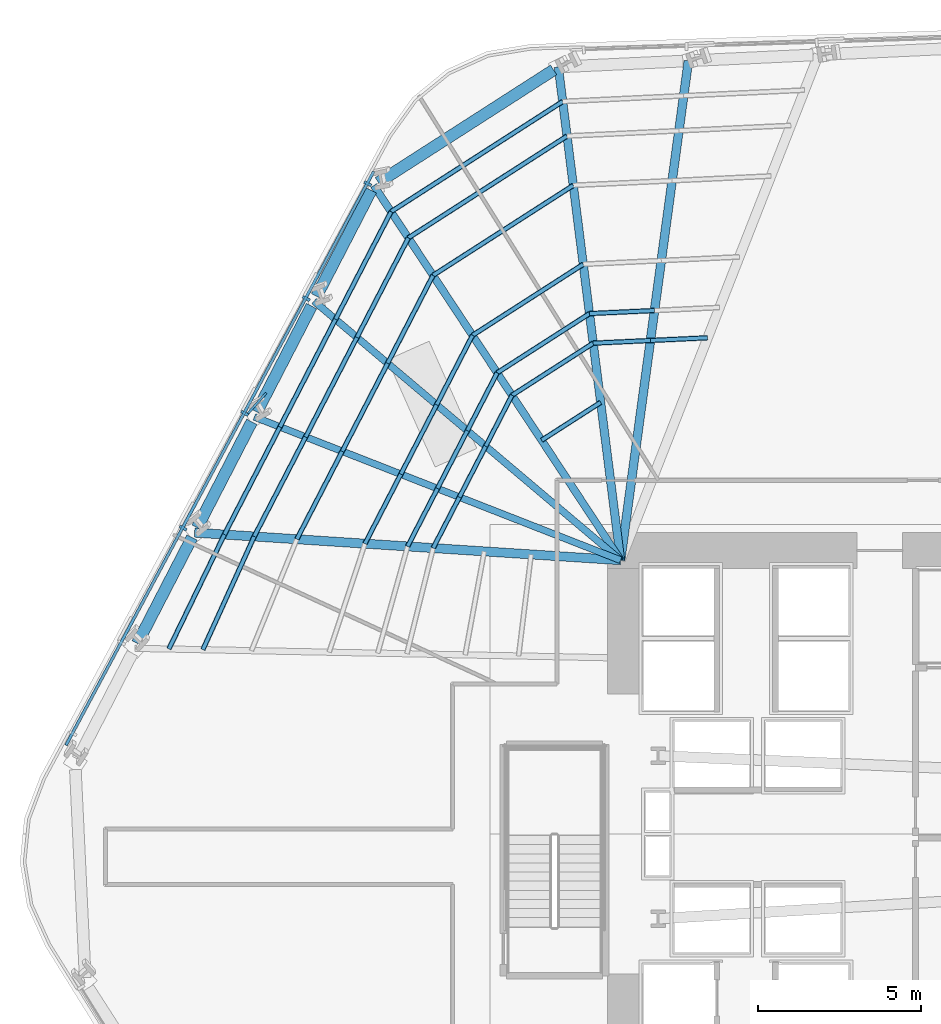
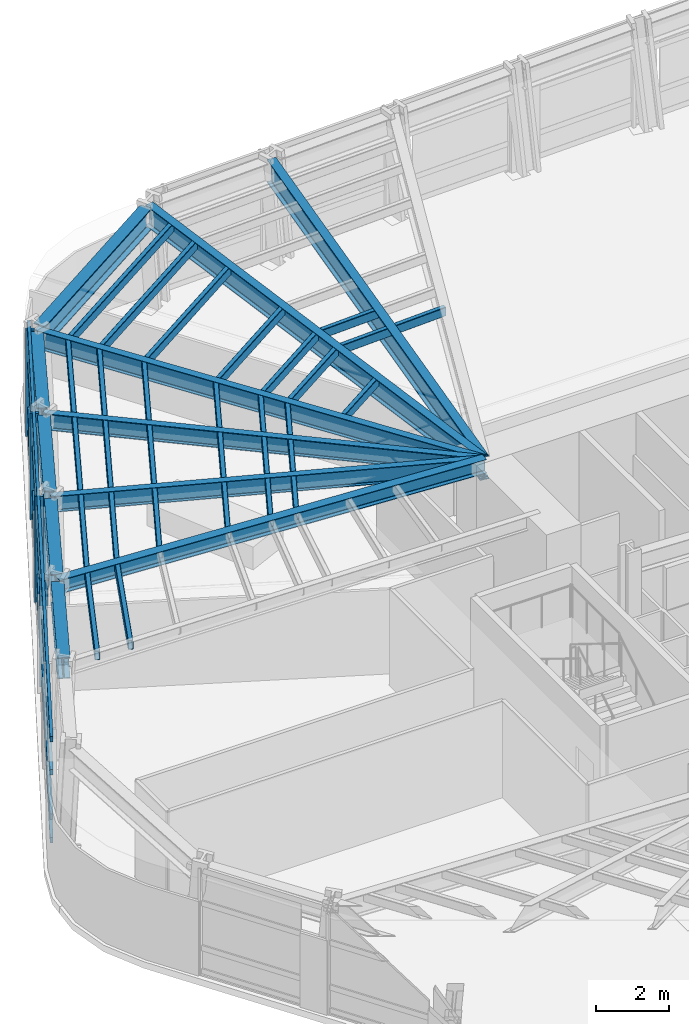
# One storey, part 5 of 15: 39 members, 11 beams, 1 element without a shape of its own.
"""IFC4 building model written with IfcOpenShell, lengths in metres."""

from ifc_helpers import new_model, si_unit, direction, frame, origin, origin_2d, place, context, subcontext, project, spatial, rectangle, hollow_rectangle, i_section, extrude, material, layer, layer_set, material_profile, profile_set, type_object, element, aggregate, save


model = new_model("IFC4")

# Units and contexts
model_context = context("Model", 3, precision=1e-05, world=origin(), true_north=direction((0.0, 1.0)))
body_context = subcontext(model_context, "Body", "Model", "MODEL_VIEW")
ifc_project = project(units=[si_unit("LENGTHUNIT", "METRE"), si_unit("AREAUNIT", "SQUARE_METRE"), si_unit("VOLUMEUNIT", "CUBIC_METRE"), si_unit("PLANEANGLEUNIT", "RADIAN"), si_unit("MASSUNIT", "GRAM", prefix="KILO")], contexts=[model_context])

# Site, building, storey
site_placement = place(None, origin())
site = spatial("IfcSite", under=ifc_project, at=site_placement, CompositionType="ELEMENT")
building_placement = place(site_placement, origin())
building = spatial("IfcBuilding", under=site, at=building_placement, Name="Valkerne Bourse Tower", CompositionType="ELEMENT")
storey_placement = place(building_placement, frame((0.0, 0.0, 31.60009765625)))
storey = spatial("IfcBuildingStorey", under=building, at=storey_placement, Name="L07", CompositionType="ELEMENT", Elevation=31.60009765625)

# Beams
ifc_material_1 = material(Name="Steel ASTM A992", Category="steel")
ifc_material_profile_1 = material_profile(ifc_material_1, i_section(OverallWidth=0.279296875, OverallDepth=0.46240234375, WebThickness=0.0107421875, FlangeThickness=0.017333984375, FilletRadius=0.017822265625, at=origin_2d()), Name="W18X76")
ifc_profile_set_1 = profile_set([ifc_material_profile_1], Name="Steel ASTM A992")
beam_type_1 = type_object("IfcBeamType", Name="BM-W18X76", PredefinedType="BEAM", material=ifc_profile_set_1)
beam_1_placement = place(storey_placement, frame((24.5283203125, 36.246826171875, 3.348876953125), z_axis=(0.997907696197, -0.064654697212, 0.0), x_axis=(0.064654697212, 0.997907696197, 0.0)))
element("IfcBeam", 1, at=beam_1_placement, inside=storey, type_object=beam_type_1, Name="L07 Radial Composite Floor Beam 15", PredefinedType="BEAM", context=body_context, shape_type="SweptSolid", body=[
    extrude(i_section(OverallWidth=0.279296875, OverallDepth=0.46240234375, WebThickness=0.0107421875, FlangeThickness=0.017333984375, FilletRadius=0.017822265625, at=origin_2d()), origin(), (0.0, 0.0, 1.0), 13.09912109375),
])
ifc_material_profile_2 = material_profile(ifc_material_1, i_section(OverallWidth=0.209228515625, OverallDepth=0.533447265625, WebThickness=0.01025390625, FlangeThickness=0.015625, FilletRadius=0.017822265625, at=origin_2d()), Name="W21X62")
ifc_profile_set_2 = profile_set([ifc_material_profile_2], Name="Steel ASTM A992")
beam_type_2 = type_object("IfcBeamType", Name="BM-W21X62", PredefinedType="JOIST", material=ifc_profile_set_2)
beam_2_placement = place(storey_placement, frame((26.361083984375, 39.7978515625, 3.313232421875), z_axis=(0.931240690469, -0.364404687696, 0.0), x_axis=(0.364404687696, 0.931240690469, 0.0)))
element("IfcBeam", 2, at=beam_2_placement, inside=storey, type_object=beam_type_2, Name="L07 Radial Composite Floor Beam 14", PredefinedType="JOIST", context=body_context, shape_type="SweptSolid", body=[
    extrude(i_section(OverallWidth=0.209228515625, OverallDepth=0.533447265625, WebThickness=0.01025390625, FlangeThickness=0.015625, FilletRadius=0.017822265625, at=origin_2d()), origin(), (0.0, 0.0, 1.0), 12.06884765625),
])
ifc_material_profile_3 = material_profile(ifc_material_1, i_section(OverallWidth=0.2138671875, OverallDepth=0.548583984375, WebThickness=0.0146484375, FlangeThickness=0.023681640625, FilletRadius=0.017822265625, at=origin_2d()), Name="W21X93")
ifc_profile_set_3 = profile_set([ifc_material_profile_3], Name="Steel ASTM A992")
beam_type_3 = type_object("IfcBeamType", Name="BM-W21X93", PredefinedType="BEAM", material=ifc_profile_set_3)
beam_3_placement = place(storey_placement, frame((28.193603515625, 43.3486328125, 3.3056640625), z_axis=(0.763810975792, -0.645439999736, 0.0), x_axis=(0.645439999736, 0.763810975792, 0.0)))
element("IfcBeam", 3, at=beam_3_placement, inside=storey, type_object=beam_type_3, Name="L07 Radial Composite Floor Beam 13", PredefinedType="BEAM", context=body_context, shape_type="SweptSolid", body=[
    extrude(i_section(OverallWidth=0.2138671875, OverallDepth=0.548583984375, WebThickness=0.0146484375, FlangeThickness=0.023681640625, FilletRadius=0.017822265625, at=origin_2d()), origin(), (0.0, 0.0, 1.0), 12.315185546875),
])
ifc_material_profile_4 = material_profile(ifc_material_1, i_section(OverallWidth=0.228271484375, OverallDepth=0.607177734375, WebThickness=0.01123046875, FlangeThickness=0.017333984375, FilletRadius=0.017822265625, at=origin_2d()), Name="W24X76")
ifc_profile_set_4 = profile_set([ifc_material_profile_4], Name="Steel ASTM A992")
beam_type_4 = type_object("IfcBeamType", Name="BM-W24X76", PredefinedType="JOIST", material=ifc_profile_set_4)
beam_4_placement = place(storey_placement, frame((30.026611328125, 46.899658203125, 3.2763671875), z_axis=(0.550014700285, -0.835154973325, 0.0), x_axis=(0.835154973325, 0.550014700285, 0.0)))
element("IfcBeam", 4, at=beam_4_placement, inside=storey, type_object=beam_type_4, Name="L07 Radial Composite Floor Beam 12", PredefinedType="JOIST", context=body_context, shape_type="SweptSolid", body=[
    extrude(i_section(OverallWidth=0.228271484375, OverallDepth=0.607177734375, WebThickness=0.01123046875, FlangeThickness=0.017333984375, FilletRadius=0.017822265625, at=origin_2d()), origin(), (0.0, 0.0, 1.0), 13.76953125),
])
ifc_material_profile_5 = material_profile(ifc_material_1, i_section(OverallWidth=0.255859375, OverallDepth=0.693359375, WebThickness=0.014404296875, FlangeThickness=0.023681640625, FilletRadius=0.02294921875, at=origin_2d()), Name="W27X114")
ifc_profile_set_5 = profile_set([ifc_material_profile_5], Name="Steel ASTM A992")
beam_type_5 = type_object("IfcBeamType", Name="BM-W27X114", PredefinedType="BEAM", material=ifc_profile_set_5)
beam_5_placement = place(storey_placement, frame((35.68896484375, 50.534912109375, 3.233154296875), z_axis=(0.125277514722, -0.992121738652, 0.0), x_axis=(0.992121738652, 0.125277514722, 0.0)))
element("IfcBeam", 5, at=beam_5_placement, inside=storey, type_object=beam_type_5, Name="L07 Radial Composite Floor Beam 11", PredefinedType="BEAM", context=body_context, shape_type="SweptSolid", body=[
    extrude(i_section(OverallWidth=0.255859375, OverallDepth=0.693359375, WebThickness=0.014404296875, FlangeThickness=0.023681640625, FilletRadius=0.02294921875, at=origin_2d()), origin(), (0.0, 0.0, 1.0), 15.255126953125),
])
ifc_material_profile_6 = material_profile(ifc_material_1, i_section(OverallWidth=0.358154296875, OverallDepth=0.7060546875, WebThickness=0.018310546875, FlangeThickness=0.0302734375, FilletRadius=0.02294921875, at=origin_2d()), Name="W27X178")
ifc_profile_set_6 = profile_set([ifc_material_profile_6], Name="Steel ASTM A992")
beam_type_6 = type_object("IfcBeamType", Name="BM-W27X178", PredefinedType="SPANDREL", material=ifc_profile_set_6)
beam_6_placement = place(storey_placement, frame((35.5458984375, 50.443115234375, 3.226806640625), z_axis=(-0.84149741777, -0.540261136753, 0.0), x_axis=(0.540261136753, -0.84149741777, 0.0)))
element("IfcBeam", 6, at=beam_6_placement, inside=storey, type_object=beam_type_6, Name="L07 Hexagonal Spandrel Ring Beam 11", PredefinedType="SPANDREL", context=body_context, shape_type="SweptSolid", body=[
    extrude(i_section(OverallWidth=0.358154296875, OverallDepth=0.7060546875, WebThickness=0.018310546875, FlangeThickness=0.0302734375, FilletRadius=0.02294921875, at=origin_2d()), origin(), (0.0, 0.0, 1.0), 6.388916015625),
])
beam_7_placement = place(storey_placement, frame((29.948486328125, 46.74853515625, 3.226806640625), z_axis=(-0.458636115682, -0.888624168809, 0.0), x_axis=(0.888624168809, -0.458636115682, 0.0)))
element("IfcBeam", 7, at=beam_7_placement, inside=storey, type_object=beam_type_6, Name="L07 Hexagonal Spandrel Ring Beam 12", PredefinedType="SPANDREL", context=body_context, shape_type="SweptSolid", body=[
    extrude(i_section(OverallWidth=0.358154296875, OverallDepth=0.7060546875, WebThickness=0.018310546875, FlangeThickness=0.0302734375, FilletRadius=0.02294921875, at=origin_2d()), origin(), (0.0, 0.0, 1.0), 3.656005859375),
])
beam_8_placement = place(storey_placement, frame((28.11572265625, 43.197509765625, 3.226806640625), z_axis=(-0.458663333085, -0.888610120854, 0.0), x_axis=(0.888610120854, -0.458663333085, 0.0)))
element("IfcBeam", 8, at=beam_8_placement, inside=storey, type_object=beam_type_6, Name="L07 Hexagonal Spandrel Ring Beam 13", PredefinedType="SPANDREL", context=body_context, shape_type="SweptSolid", body=[
    extrude(i_section(OverallWidth=0.358154296875, OverallDepth=0.7060546875, WebThickness=0.018310546875, FlangeThickness=0.0302734375, FilletRadius=0.02294921875, at=origin_2d()), origin(), (0.0, 0.0, 1.0), 3.65576171875),
])
beam_9_placement = place(storey_placement, frame((26.282958984375, 39.646728515625, 3.226806640625), z_axis=(-0.458636115682, -0.888624168809, 0.0), x_axis=(0.888624168809, -0.458636115682, 0.0)))
element("IfcBeam", 9, at=beam_9_placement, inside=storey, type_object=beam_type_6, Name="L07 Hexagonal Spandrel Ring Beam 14", PredefinedType="SPANDREL", context=body_context, shape_type="SweptSolid", body=[
    extrude(i_section(OverallWidth=0.358154296875, OverallDepth=0.7060546875, WebThickness=0.018310546875, FlangeThickness=0.0302734375, FilletRadius=0.02294921875, at=origin_2d()), origin(), (0.0, 0.0, 1.0), 3.656005859375),
])
beam_10_placement = place(storey_placement, frame((24.4501953125, 36.095703125, 3.226806640625), z_axis=(-0.458663333085, -0.888610120854, 0.0), x_axis=(0.888610120854, -0.458663333085, 0.0)))
element("IfcBeam", 10, at=beam_10_placement, inside=storey, type_object=beam_type_6, Name="L07 Hexagonal Spandrel Ring Beam 15", PredefinedType="SPANDREL", context=body_context, shape_type="SweptSolid", body=[
    extrude(i_section(OverallWidth=0.358154296875, OverallDepth=0.7060546875, WebThickness=0.018310546875, FlangeThickness=0.0302734375, FilletRadius=0.02294921875, at=origin_2d()), origin(), (0.0, 0.0, 1.0), 3.65576171875),
])
ifc_material_profile_7 = material_profile(ifc_material_1, i_section(OverallWidth=0.26806640625, OverallDepth=0.76953125, WebThickness=0.015625, FlangeThickness=0.025390625, FilletRadius=0.025390625, at=origin_2d()), Name="W30X132")
ifc_profile_set_7 = profile_set([ifc_material_profile_7], Name="Steel ASTM A992")
beam_type_7 = type_object("IfcBeamType", Name="BM-W30X132", PredefinedType="BEAM", material=ifc_profile_set_7)
beam_11_placement = place(storey_placement, frame((39.6806640625, 50.72314453125, 3.195068359375), z_axis=(-0.134543923728, -0.990907630704, 0.0), x_axis=(0.990907630704, -0.134543923728, 0.0)))
element("IfcBeam", 11, at=beam_11_placement, inside=storey, type_object=beam_type_7, Name="L07 Radial Composite Floor Beam 10", PredefinedType="BEAM", context=body_context, shape_type="SweptSolid", body=[
    extrude(i_section(OverallWidth=0.26806640625, OverallDepth=0.76953125, WebThickness=0.015625, FlangeThickness=0.025390625, FilletRadius=0.025390625, at=origin_2d()), origin(), (0.0, 0.0, 1.0), 15.4638671875),
])

# Curtain wall, members
ifc_material_2 = material(Name="Aluminium AA 6063-T6", Category="aluminium")
ifc_layer = layer(ifc_material_2, 0.22509765625)
ifc_layer_set = layer_set([ifc_layer], Name="Aluminium AA 6063-T6")
curtain_wall_type = type_object("IfcCurtainWallType", Name="CW-01", PredefinedType="NOTDEFINED", material=ifc_layer_set)
curtain_wall_placement = place(storey_placement, origin())
curtain_wall = element("IfcCurtainWall", 12, at=curtain_wall_placement, inside=storey, type_object=curtain_wall_type, Name="L07 Hexagonal Stick Curtain Wall Face 3", PredefinedType="NOTDEFINED")
ifc_material_profile_8 = material_profile(ifc_material_2, rectangle(XDim=0.090087890625, YDim=0.239990234375, at=origin_2d()), Name="CWM-90X240")
ifc_profile_set_8 = profile_set([ifc_material_profile_8], Name="Aluminium AA 6063-T6")
member_type_1 = type_object("IfcMemberType", Name="CW-MUL-240X90", PredefinedType="MULLION", material=ifc_profile_set_8)
member_1_placement = place(storey_placement, frame((29.843017578125, 46.951171875, 0.0), z_axis=(0.0, 0.0, 1.0), x_axis=(-0.472547077315, -0.881305429304, 0.0)))
member_1 = element("IfcMember", 13, at=member_1_placement, type_object=member_type_1, Name="CW-L07-F3 Jamb Mullion 00A", PredefinedType="MULLION", context=body_context, shape_type="SweptSolid", body=[
    extrude(rectangle(XDim=0.090087890625, YDim=0.239990234375, at=origin_2d()), origin(), (0.0, 0.0, 1.0), 3.579833984375),
])
member_2_placement = place(storey_placement, frame((27.95458984375, 43.429443359375, 0.0), z_axis=(0.0, 0.0, 1.0), x_axis=(-0.472547077315, -0.881305429304, 0.0)))
member_2 = element("IfcMember", 14, at=member_2_placement, type_object=member_type_1, Name="CW-L07-F3 Jamb Mullion 01A", PredefinedType="MULLION", context=body_context, shape_type="SweptSolid", body=[
    extrude(rectangle(XDim=0.090087890625, YDim=0.239990234375, at=origin_2d()), origin(), (0.0, 0.0, 1.0), 3.579833984375),
])
member_3_placement = place(storey_placement, frame((26.06640625, 39.90771484375, 0.0), z_axis=(0.0, 0.0, 1.0), x_axis=(-0.472547077315, -0.881305429304, 0.0)))
member_3 = element("IfcMember", 15, at=member_3_placement, type_object=member_type_1, Name="CW-L07-F3 Jamb Mullion 02A", PredefinedType="MULLION", context=body_context, shape_type="SweptSolid", body=[
    extrude(rectangle(XDim=0.090087890625, YDim=0.239990234375, at=origin_2d()), origin(), (0.0, 0.0, 1.0), 3.579833984375),
])
member_4_placement = place(storey_placement, frame((24.177978515625, 36.385986328125, 0.0), z_axis=(0.0, 0.0, 1.0), x_axis=(-0.472547077315, -0.881305429304, 0.0)))
member_4 = element("IfcMember", 16, at=member_4_placement, type_object=member_type_1, Name="CW-L07-F3 Jamb Mullion 03A", PredefinedType="MULLION", context=body_context, shape_type="SweptSolid", body=[
    extrude(rectangle(XDim=0.090087890625, YDim=0.239990234375, at=origin_2d()), origin(), (0.0, 0.0, 1.0), 3.579833984375),
])
ifc_material_profile_9 = material_profile(ifc_material_2, rectangle(XDim=0.090087890625, YDim=0.179931640625, at=origin_2d()), Name="CWT-90X180")
ifc_profile_set_9 = profile_set([ifc_material_profile_9], Name="Aluminium AA 6063-T6")
member_type_2 = type_object("IfcMemberType", Name="CW-TRN-180X90", PredefinedType="USERDEFINED", material=ifc_profile_set_9)
member_5_placement = place(storey_placement, frame((30.023681640625, 47.330810546875, 0.119873046875), z_axis=(-0.472545549822, -0.881306248329, 0.0), x_axis=(0.881306248329, -0.472545549822, 0.0)))
member_5 = element("IfcMember", 17, at=member_5_placement, type_object=member_type_2, Name="CW-L07-F3 Continuous Face Transom 1", ObjectType="TRANSOM", PredefinedType="USERDEFINED", context=body_context, shape_type="SweptSolid", body=[
    extrude(rectangle(XDim=0.090087890625, YDim=0.179931640625, at=origin_2d()), origin(), (0.0, 0.0, 1.0), 19.97998046875),
])
member_6_placement = place(storey_placement, frame((30.023681640625, 47.330810546875, 0.89990234375), z_axis=(-0.472545549822, -0.881306248329, 0.0), x_axis=(0.881306248329, -0.472545549822, 0.0)))
member_6 = element("IfcMember", 18, at=member_6_placement, type_object=member_type_2, Name="CW-L07-F3 Continuous Face Transom 2", ObjectType="TRANSOM", PredefinedType="USERDEFINED", context=body_context, shape_type="SweptSolid", body=[
    extrude(rectangle(XDim=0.090087890625, YDim=0.179931640625, at=origin_2d()), origin(), (0.0, 0.0, 1.0), 19.97998046875),
])
member_7_placement = place(storey_placement, frame((30.023681640625, 47.330810546875, 2.39990234375), z_axis=(-0.472545549822, -0.881306248329, 0.0), x_axis=(0.881306248329, -0.472545549822, 0.0)))
member_7 = element("IfcMember", 19, at=member_7_placement, type_object=member_type_2, Name="CW-L07-F3 Continuous Face Transom 3", ObjectType="TRANSOM", PredefinedType="USERDEFINED", context=body_context, shape_type="SweptSolid", body=[
    extrude(rectangle(XDim=0.090087890625, YDim=0.179931640625, at=origin_2d()), origin(), (0.0, 0.0, 1.0), 19.97998046875),
])
member_8_placement = place(storey_placement, frame((30.023681640625, 47.330810546875, 3.5), z_axis=(-0.472545549822, -0.881306248329, 0.0), x_axis=(0.881306248329, -0.472545549822, 0.0)))
member_8 = element("IfcMember", 20, at=member_8_placement, type_object=member_type_2, Name="CW-L07-F3 Continuous Face Transom 4", ObjectType="TRANSOM", PredefinedType="USERDEFINED", context=body_context, shape_type="SweptSolid", body=[
    extrude(rectangle(XDim=0.090087890625, YDim=0.179931640625, at=origin_2d()), origin(), (0.0, 0.0, 1.0), 19.97998046875),
])
aggregate(curtain_wall, [member_5, member_6, member_7, member_8, member_1, member_2, member_3, member_4])

# Members
ifc_material_3 = material(Name="Bronze Anodised Aluminium AA 6063-T6", Category="aluminium")
ifc_material_profile_10 = material_profile(ifc_material_3, rectangle(XDim=0.070068359375, YDim=0.89990234375, at=origin_2d()), Name="FIN-70X900")
ifc_profile_set_10 = profile_set([ifc_material_profile_10], Name="Bronze Anodised Aluminium AA 6063-T6")
member_type_3 = type_object("IfcMemberType", Name="FIN-SOLAR-900", PredefinedType="USERDEFINED", material=ifc_profile_set_10)
member_9_placement = place(storey_placement, frame((26.423583984375, 40.19287109375, 0.00390625), z_axis=(0.0, 0.0, 1.0), x_axis=(-0.748527214135, 0.663104071544, 0.0)))
element("IfcMember", 21, at=member_9_placement, inside=storey, type_object=member_type_3, Name="L07 Bronze Anodised Solar Fin F3-02", ObjectType="SOLAR_FIN", PredefinedType="USERDEFINED", context=body_context, shape_type="SweptSolid", body=[
    extrude(rectangle(XDim=0.070068359375, YDim=0.89990234375, at=origin_2d()), origin(), (0.0, 0.0, 1.0), 3.572021484375),
])
ifc_material_4 = material(Name="Steel ASTM A500 Grade C", Category="steel")
ifc_material_profile_11 = material_profile(ifc_material_4, hollow_rectangle(XDim=0.14990234375, YDim=0.300048828125, WallThickness=0.012451171875, OuterFilletRadius=0.02490234375, at=origin_2d()), Name="HSS300X150X12.5")
ifc_profile_set_11 = profile_set([ifc_material_profile_11], Name="Steel ASTM A500 Grade C")
member_type_4 = type_object("IfcMemberType", Name="MBR-HSS300X150X12.5", PredefinedType="PURLIN", material=ifc_profile_set_11)
member_10_placement = place(storey_placement, frame((36.988525390625, 40.2431640625, 3.419921875), z_axis=(-0.841502499489, -0.540253221512, 0.0), x_axis=(0.540253221512, -0.841502499489, 0.0)))
element("IfcMember", 22, at=member_10_placement, inside=storey, type_object=member_type_4, Name="L07 Secondary Composite Floor Purlin I-11", PredefinedType="PURLIN", context=body_context, shape_type="SweptSolid", body=[
    extrude(hollow_rectangle(XDim=0.14990234375, YDim=0.300048828125, WallThickness=0.012451171875, OuterFilletRadius=0.02490234375, at=origin_2d()), origin(), (0.0, 0.0, 1.0), 2.1533203125),
])
member_11_placement = place(storey_placement, frame((40.271728515625, 42.22509765625, 3.419921875), z_axis=(-0.998885037744, -0.047208911987, 0.0), x_axis=(0.047208911987, -0.998885037744, 0.0)))
element("IfcMember", 23, at=member_11_placement, inside=storey, type_object=member_type_4, Name="L07 Secondary Composite Floor Purlin K-09", PredefinedType="PURLIN", context=body_context, shape_type="SweptSolid", body=[
    extrude(hollow_rectangle(XDim=0.14990234375, YDim=0.300048828125, WallThickness=0.012451171875, OuterFilletRadius=0.02490234375, at=origin_2d()), origin(), (0.0, 0.0, 1.0), 1.75830078125),
])
member_12_placement = place(storey_placement, frame((38.515380859375, 42.14208984375, 3.419921875), z_axis=(-0.998891268112, -0.047076899748, 0.0), x_axis=(0.047076899748, -0.998891268112, 0.0)))
element("IfcMember", 24, at=member_12_placement, inside=storey, type_object=member_type_4, Name="L07 Secondary Composite Floor Purlin K-10", PredefinedType="PURLIN", context=body_context, shape_type="SweptSolid", body=[
    extrude(hollow_rectangle(XDim=0.14990234375, YDim=0.300048828125, WallThickness=0.012451171875, OuterFilletRadius=0.02490234375, at=origin_2d()), origin(), (0.0, 0.0, 1.0), 1.758056640625),
])
member_13_placement = place(storey_placement, frame((36.75927734375, 42.059326171875, 3.419921875), z_axis=(-0.841515862983, -0.540232405866, 0.0), x_axis=(0.540232405866, -0.841515862983, 0.0)))
element("IfcMember", 25, at=member_13_placement, inside=storey, type_object=member_type_4, Name="L07 Secondary Composite Floor Purlin K-11", PredefinedType="PURLIN", context=body_context, shape_type="SweptSolid", body=[
    extrude(hollow_rectangle(XDim=0.14990234375, YDim=0.300048828125, WallThickness=0.012451171875, OuterFilletRadius=0.02490234375, at=origin_2d()), origin(), (0.0, 0.0, 1.0), 2.9609375),
])
member_14_placement = place(storey_placement, frame((34.267578125, 40.459716796875, 3.419921875), z_axis=(-0.458674754845, -0.888604225326, 0.0), x_axis=(0.888604225326, -0.458674754845, 0.0)))
element("IfcMember", 26, at=member_14_placement, inside=storey, type_object=member_type_4, Name="L07 Secondary Composite Floor Purlin K-12", PredefinedType="PURLIN", context=body_context, shape_type="SweptSolid", body=[
    extrude(hollow_rectangle(XDim=0.14990234375, YDim=0.300048828125, WallThickness=0.012451171875, OuterFilletRadius=0.02490234375, at=origin_2d()), origin(), (0.0, 0.0, 1.0), 1.758056640625),
])
member_15_placement = place(storey_placement, frame((33.461181640625, 38.8974609375, 3.419921875), z_axis=(-0.458618161805, -0.888633434923, 0.0), x_axis=(0.888633434923, -0.458618161805, 0.0)))
element("IfcMember", 27, at=member_15_placement, inside=storey, type_object=member_type_4, Name="L07 Secondary Composite Floor Purlin K-13", PredefinedType="PURLIN", context=body_context, shape_type="SweptSolid", body=[
    extrude(hollow_rectangle(XDim=0.14990234375, YDim=0.300048828125, WallThickness=0.012451171875, OuterFilletRadius=0.02490234375, at=origin_2d()), origin(), (0.0, 0.0, 1.0), 1.75830078125),
])
member_16_placement = place(storey_placement, frame((32.65478515625, 37.3349609375, 3.419921875), z_axis=(-0.458674754845, -0.888604225326, 0.0), x_axis=(0.888604225326, -0.458674754845, 0.0)))
element("IfcMember", 28, at=member_16_placement, inside=storey, type_object=member_type_4, Name="L07 Secondary Composite Floor Purlin K-14", PredefinedType="PURLIN", context=body_context, shape_type="SweptSolid", body=[
    extrude(hollow_rectangle(XDim=0.14990234375, YDim=0.300048828125, WallThickness=0.012451171875, OuterFilletRadius=0.02490234375, at=origin_2d()), origin(), (0.0, 0.0, 1.0), 1.758056640625),
])
member_17_placement = place(storey_placement, frame((38.640380859375, 43.0615234375, 3.419921875), z_axis=(-0.998887132008, -0.047164578955, 0.0), x_axis=(0.047164578955, -0.998887132008, 0.0)))
element("IfcMember", 29, at=member_17_placement, inside=storey, type_object=member_type_4, Name="L07 Secondary Composite Floor Purlin M-10", PredefinedType="PURLIN", context=body_context, shape_type="SweptSolid", body=[
    extrude(hollow_rectangle(XDim=0.14990234375, YDim=0.300048828125, WallThickness=0.012451171875, OuterFilletRadius=0.02490234375, at=origin_2d()), origin(), (0.0, 0.0, 1.0), 1.998046875),
])
member_18_placement = place(storey_placement, frame((36.64453125, 42.96728515625, 3.419921875), z_axis=(-0.841548443725, -0.540181651728, 0.0), x_axis=(0.540181651728, -0.841548443725, 0.0)))
element("IfcMember", 30, at=member_18_placement, inside=storey, type_object=member_type_4, Name="L07 Secondary Composite Floor Purlin M-11", PredefinedType="PURLIN", context=body_context, shape_type="SweptSolid", body=[
    extrude(hollow_rectangle(XDim=0.14990234375, YDim=0.300048828125, WallThickness=0.012451171875, OuterFilletRadius=0.02490234375, at=origin_2d()), origin(), (0.0, 0.0, 1.0), 3.364501953125),
])
for number, where, z_axis, x_axis, name in (
    (31, (33.813232421875, 41.14990234375, 3.419921875), (-0.458565108343, -0.888660813477, 0.0), (0.888660813477, -0.458565108343, 0.0), "L07 Secondary Composite Floor Purlin M-12"),
    (32, (32.89697265625, 39.374267578125, 3.419921875), (-0.458711394515, -0.88858531191, 0.0), (0.88858531191, -0.458711394515, 0.0), "L07 Secondary Composite Floor Purlin M-13"),
):
    element("IfcMember", number, at=place(storey_placement, frame(where, z_axis=z_axis, x_axis=x_axis)), inside=storey, type_object=member_type_4, Name=name, PredefinedType="PURLIN", context=body_context, shape_type="SweptSolid", body=[
        extrude(hollow_rectangle(XDim=0.14990234375, YDim=0.300048828125, WallThickness=0.012451171875, OuterFilletRadius=0.02490234375, at=origin_2d()), origin(), (0.0, 0.0, 1.0), 1.998046875),
    ])
member_19_placement = place(storey_placement, frame((31.98046875, 37.598876953125, 3.419921875), z_axis=(-0.45861490502, -0.888635115722, 0.0), x_axis=(0.888635115722, -0.45861490502, 0.0)))
element("IfcMember", 33, at=member_19_placement, inside=storey, type_object=member_type_4, Name="L07 Secondary Composite Floor Purlin M-14", PredefinedType="PURLIN", context=body_context, shape_type="SweptSolid", body=[
    extrude(hollow_rectangle(XDim=0.14990234375, YDim=0.300048828125, WallThickness=0.012451171875, OuterFilletRadius=0.02490234375, at=origin_2d()), origin(), (0.0, 0.0, 1.0), 1.997802734375),
])
member_20_placement = place(storey_placement, frame((36.147705078125, 46.902587890625, 3.419921875), z_axis=(-0.841510236499, -0.540241170096, 0.0), x_axis=(0.540241170096, -0.841510236499, 0.0)))
element("IfcMember", 34, at=member_20_placement, inside=storey, type_object=member_type_4, Name="L07 Secondary Composite Floor Purlin O-11", PredefinedType="PURLIN", context=body_context, shape_type="SweptSolid", body=[
    extrude(hollow_rectangle(XDim=0.14990234375, YDim=0.300048828125, WallThickness=0.012451171875, OuterFilletRadius=0.02490234375, at=origin_2d()), origin(), (0.0, 0.0, 1.0), 5.1142578125),
])
for number, where, z_axis, x_axis, name in (
    (35, (31.843994140625, 44.1396484375, 3.419921875), (-0.458624490101, -0.8886301689, 0.0), (0.8886301689, -0.458624490101, 0.0), "L07 Secondary Composite Floor Purlin O-12"),
    (36, (30.451171875, 41.44091796875, 3.419921875), (-0.458624490101, -0.8886301689, 0.0), (0.8886301689, -0.458624490101, 0.0), "L07 Secondary Composite Floor Purlin O-13"),
    (37, (29.058349609375, 38.7421875, 3.419921875), (-0.458720734444, -0.888580490328, 0.0), (0.888580490328, -0.458720734444, 0.0), "L07 Secondary Composite Floor Purlin O-14"),
):
    element("IfcMember", number, at=place(storey_placement, frame(where, z_axis=z_axis, x_axis=x_axis)), inside=storey, type_object=member_type_4, Name=name, PredefinedType="PURLIN", context=body_context, shape_type="SweptSolid", body=[
        extrude(hollow_rectangle(XDim=0.14990234375, YDim=0.300048828125, WallThickness=0.012451171875, OuterFilletRadius=0.02490234375, at=origin_2d()), origin(), (0.0, 0.0, 1.0), 3.036865234375),
    ])
member_21_placement = place(storey_placement, frame((36.453369140625, 44.48095703125, 3.419921875), z_axis=(-0.841508396273, -0.540244036526, 0.0), x_axis=(0.540244036526, -0.841508396273, 0.0)))
element("IfcMember", 38, at=member_21_placement, inside=storey, type_object=member_type_4, Name="L07 Secondary Composite Floor Purlin Z-11", PredefinedType="PURLIN", context=body_context, shape_type="SweptSolid", body=[
    extrude(hollow_rectangle(XDim=0.14990234375, YDim=0.300048828125, WallThickness=0.012451171875, OuterFilletRadius=0.02490234375, at=origin_2d()), origin(), (0.0, 0.0, 1.0), 4.037353515625),
])
member_22_placement = place(storey_placement, frame((33.055908203125, 42.2998046875, 3.419921875), z_axis=(-0.458622169661, -0.888631366482, 0.0), x_axis=(0.888631366482, -0.458622169661, 0.0)))
element("IfcMember", 39, at=member_22_placement, inside=storey, type_object=member_type_4, Name="L07 Secondary Composite Floor Purlin Z-12", PredefinedType="PURLIN", context=body_context, shape_type="SweptSolid", body=[
    extrude(hollow_rectangle(XDim=0.14990234375, YDim=0.300048828125, WallThickness=0.012451171875, OuterFilletRadius=0.02490234375, at=origin_2d()), origin(), (0.0, 0.0, 1.0), 2.397705078125),
])
member_23_placement = place(storey_placement, frame((31.956298828125, 40.169189453125, 3.419921875), z_axis=(-0.458663671507, -0.888609946174, 0.0), x_axis=(0.888609946174, -0.458663671507, 0.0)))
element("IfcMember", 40, at=member_23_placement, inside=storey, type_object=member_type_4, Name="L07 Secondary Composite Floor Purlin Z-13", PredefinedType="PURLIN", context=body_context, shape_type="SweptSolid", body=[
    extrude(hollow_rectangle(XDim=0.14990234375, YDim=0.300048828125, WallThickness=0.012451171875, OuterFilletRadius=0.02490234375, at=origin_2d()), origin(), (0.0, 0.0, 1.0), 2.3974609375),
])
member_24_placement = place(storey_placement, frame((30.856689453125, 38.038818359375, 3.419921875), z_axis=(-0.458702572155, -0.888589866192, 0.0), x_axis=(0.888589866192, -0.458702572155, 0.0)))
element("IfcMember", 41, at=member_24_placement, inside=storey, type_object=member_type_4, Name="L07 Secondary Composite Floor Purlin Z-14", PredefinedType="PURLIN", context=body_context, shape_type="SweptSolid", body=[
    extrude(hollow_rectangle(XDim=0.14990234375, YDim=0.300048828125, WallThickness=0.012451171875, OuterFilletRadius=0.02490234375, at=origin_2d()), origin(), (0.0, 0.0, 1.0), 2.397705078125),
])
member_25_placement = place(storey_placement, frame((35.95654296875, 48.416015625, 3.419921875), z_axis=(-0.841512784703, -0.540237200849, 0.0), x_axis=(0.540237200849, -0.841512784703, 0.0)))
element("IfcMember", 42, at=member_25_placement, inside=storey, type_object=member_type_4, Name="L07 Secondary Composite Floor Purlin T-11", PredefinedType="PURLIN", context=body_context, shape_type="SweptSolid", body=[
    extrude(hollow_rectangle(XDim=0.14990234375, YDim=0.300048828125, WallThickness=0.012451171875, OuterFilletRadius=0.02490234375, at=origin_2d()), origin(), (0.0, 0.0, 1.0), 5.786865234375),
])
member_26_placement = place(storey_placement, frame((31.0869140625, 45.289794921875, 3.419921875), z_axis=(-0.458684537369, -0.88859917577, 0.0), x_axis=(0.88859917577, -0.458684537369, 0.0)))
element("IfcMember", 43, at=member_26_placement, inside=storey, type_object=member_type_4, Name="L07 Secondary Composite Floor Purlin T-12", PredefinedType="PURLIN", context=body_context, shape_type="SweptSolid", body=[
    extrude(hollow_rectangle(XDim=0.14990234375, YDim=0.300048828125, WallThickness=0.012451171875, OuterFilletRadius=0.02490234375, at=origin_2d()), origin(), (0.0, 0.0, 1.0), 3.436767578125),
])
member_27_placement = place(storey_placement, frame((29.510498046875, 42.23583984375, 3.419921875), z_axis=(-0.458601295826, -0.888642139146, 0.0), x_axis=(0.888642139146, -0.458601295826, 0.0)))
element("IfcMember", 44, at=member_27_placement, inside=storey, type_object=member_type_4, Name="L07 Secondary Composite Floor Purlin T-13", PredefinedType="PURLIN", context=body_context, shape_type="SweptSolid", body=[
    extrude(hollow_rectangle(XDim=0.14990234375, YDim=0.300048828125, WallThickness=0.012451171875, OuterFilletRadius=0.02490234375, at=origin_2d()), origin(), (0.0, 0.0, 1.0), 3.436279296875),
])
member_28_placement = place(storey_placement, frame((27.9345703125, 39.18212890625, 3.419921875), z_axis=(-0.458657396956, -0.888613184809, 0.0), x_axis=(0.888613184809, -0.458657396956, 0.0)))
element("IfcMember", 45, at=member_28_placement, inside=storey, type_object=member_type_4, Name="L07 Secondary Composite Floor Purlin T-14", PredefinedType="PURLIN", context=body_context, shape_type="SweptSolid", body=[
    extrude(hollow_rectangle(XDim=0.14990234375, YDim=0.300048828125, WallThickness=0.012451171875, OuterFilletRadius=0.02490234375, at=origin_2d()), origin(), (0.0, 0.0, 1.0), 3.4365234375),
])
member_29_placement = place(storey_placement, frame((26.3583984375, 36.12841796875, 3.419921875), z_axis=(-0.413233896601, -0.910624920975, 0.0), x_axis=(0.910624920975, -0.413233896601, 0.0)))
element("IfcMember", 46, at=member_29_placement, inside=storey, type_object=member_type_4, Name="L07 Secondary Composite Floor Purlin T-15", PredefinedType="PURLIN", context=body_context, shape_type="SweptSolid", body=[
    extrude(hollow_rectangle(XDim=0.14990234375, YDim=0.300048828125, WallThickness=0.012451171875, OuterFilletRadius=0.02490234375, at=origin_2d()), origin(), (0.0, 0.0, 1.0), 3.81494140625),
])
member_30_placement = place(storey_placement, frame((35.82275390625, 49.4755859375, 3.419921875), z_axis=(-0.841487616597, -0.540276402515, 0.0), x_axis=(0.540276402515, -0.841487616597, 0.0)))
element("IfcMember", 47, at=member_30_placement, inside=storey, type_object=member_type_4, Name="L07 Secondary Composite Floor Purlin U-11", PredefinedType="PURLIN", context=body_context, shape_type="SweptSolid", body=[
    extrude(hollow_rectangle(XDim=0.14990234375, YDim=0.300048828125, WallThickness=0.012451171875, OuterFilletRadius=0.02490234375, at=origin_2d()), origin(), (0.0, 0.0, 1.0), 6.258056640625),
])
member_31_placement = place(storey_placement, frame((30.556640625, 46.094482421875, 3.419921875), z_axis=(-0.458686428362, -0.888598199659, 0.0), x_axis=(0.888598199659, -0.458686428362, 0.0)))
element("IfcMember", 48, at=member_31_placement, inside=storey, type_object=member_type_4, Name="L07 Secondary Composite Floor Purlin U-12", PredefinedType="PURLIN", context=body_context, shape_type="SweptSolid", body=[
    extrude(hollow_rectangle(XDim=0.14990234375, YDim=0.300048828125, WallThickness=0.012451171875, OuterFilletRadius=0.02490234375, at=origin_2d()), origin(), (0.0, 0.0, 1.0), 3.71630859375),
])
member_32_placement = place(storey_placement, frame((28.85205078125, 42.792236328125, 3.419921875), z_axis=(-0.458634552355, -0.888624975671, 0.0), x_axis=(0.888624975671, -0.458634552355, 0.0)))
element("IfcMember", 49, at=member_32_placement, inside=storey, type_object=member_type_4, Name="L07 Secondary Composite Floor Purlin U-13", PredefinedType="PURLIN", context=body_context, shape_type="SweptSolid", body=[
    extrude(hollow_rectangle(XDim=0.14990234375, YDim=0.300048828125, WallThickness=0.012451171875, OuterFilletRadius=0.02490234375, at=origin_2d()), origin(), (0.0, 0.0, 1.0), 3.716064453125),
])
member_33_placement = place(storey_placement, frame((27.147705078125, 39.489990234375, 3.419921875), z_axis=(-0.458659652997, -0.888612020351, 0.0), x_axis=(0.888612020351, -0.458659652997, 0.0)))
element("IfcMember", 50, at=member_33_placement, inside=storey, type_object=member_type_4, Name="L07 Secondary Composite Floor Purlin U-14", PredefinedType="PURLIN", context=body_context, shape_type="SweptSolid", body=[
    extrude(hollow_rectangle(XDim=0.14990234375, YDim=0.300048828125, WallThickness=0.012451171875, OuterFilletRadius=0.02490234375, at=origin_2d()), origin(), (0.0, 0.0, 1.0), 3.716552734375),
])
member_34_placement = place(storey_placement, frame((25.443115234375, 36.1875, 3.419921875), z_axis=(-0.436575755252, -0.89966749965, 0.0), x_axis=(0.89966749965, -0.436575755252, 0.0)))
element("IfcMember", 51, at=member_34_placement, inside=storey, type_object=member_type_4, Name="L07 Secondary Composite Floor Purlin U-15", PredefinedType="PURLIN", context=body_context, shape_type="SweptSolid", body=[
    extrude(hollow_rectangle(XDim=0.14990234375, YDim=0.300048828125, WallThickness=0.012451171875, OuterFilletRadius=0.02490234375, at=origin_2d()), origin(), (0.0, 0.0, 1.0), 3.90380859375),
])

save(model, "model.ifc")
